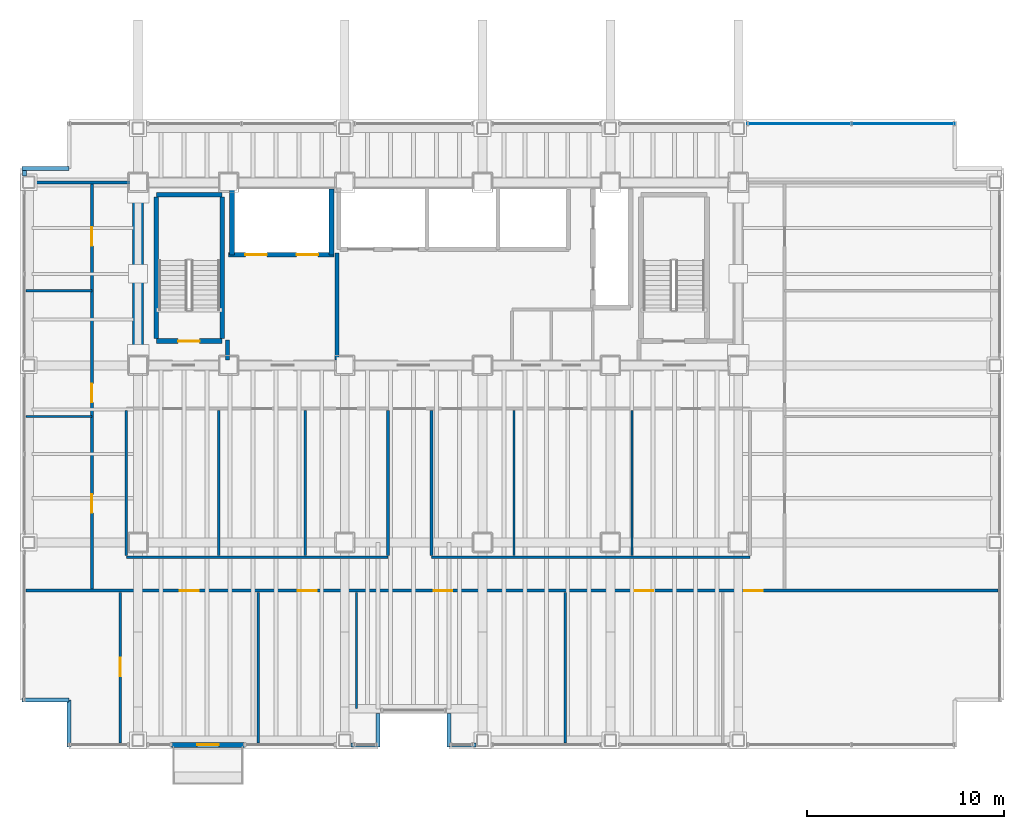
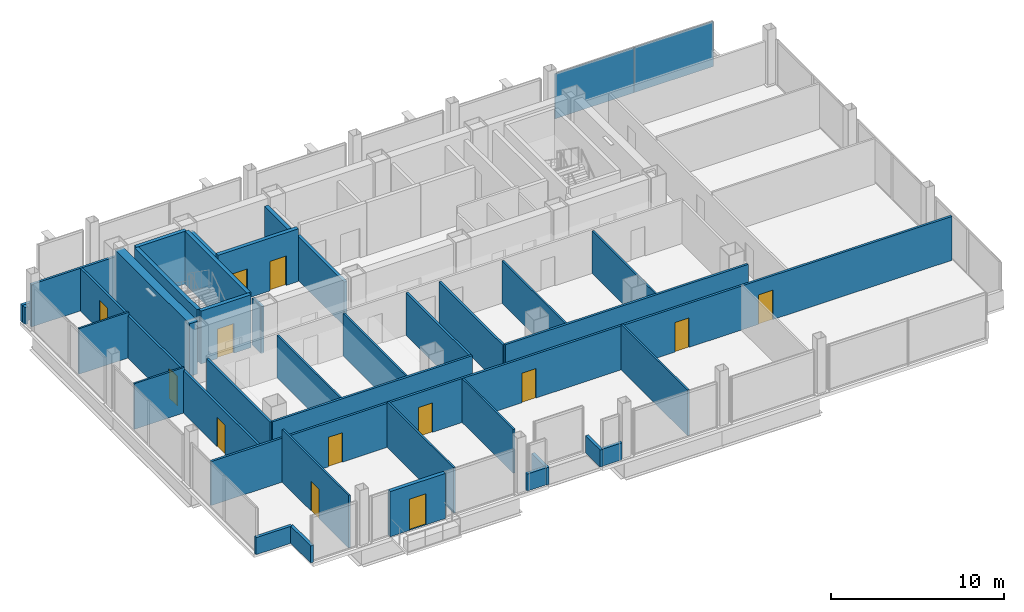
# One storey, part 18 of 21: 37 walls, 13 doors, 2 plates, 13 openings, 1 element without a shape of its own.
"""IFC4 building model written with IfcOpenShell, lengths in metres."""

from ifc_helpers import new_model, si_unit, direction, frame, frame_2d, origin, origin_2d, place, context, subcontext, project, spatial, rectangle, extrude, material, layer, layer_set, type_object, element, fill, aggregate, save


model = new_model("IFC4")

# Units and contexts
model_context = context("Model", 3, precision=1e-05, world=origin(), true_north=direction((0.0, 1.0)))
body_context = subcontext(model_context, "Body", "Model", "MODEL_VIEW")
ifc_project = project(units=[si_unit("LENGTHUNIT", "METRE"), si_unit("AREAUNIT", "SQUARE_METRE"), si_unit("VOLUMEUNIT", "CUBIC_METRE"), si_unit("PLANEANGLEUNIT", "RADIAN"), si_unit("MASSUNIT", "GRAM", prefix="KILO")], contexts=[model_context])

# Site, building, storey
site_placement = place(None, origin())
site = spatial("IfcSite", under=ifc_project, at=site_placement, CompositionType="ELEMENT")
building_placement = place(site_placement, origin())
building = spatial("IfcBuilding", under=site, at=building_placement, Name="Noeulbin Bourse Tower", CompositionType="ELEMENT")
storey_placement = place(building_placement, frame((0.0, 0.0, 81.10009765625)))
storey = spatial("IfcBuildingStorey", under=building, at=storey_placement, Name="L20", CompositionType="ELEMENT", Elevation=81.10009765625)

# Curtain wall, plates
ifc_material_1 = material(Name="Dark Solar-Control Double Glazing", Category="glass")
curtain_wall_type = type_object("IfcCurtainWallType", Name="CW-SYS-2", PredefinedType="NOTDEFINED", material=ifc_material_1)
curtain_wall_placement = place(storey_placement, origin())
curtain_wall = element("IfcCurtainWall", 1, at=curtain_wall_placement, inside=storey, type_object=curtain_wall_type, Name="Unitised Curtain Wall CW-L20-N-S6", PredefinedType="NOTDEFINED")
ifc_layer_1 = layer(ifc_material_1, 0.035888671875)
ifc_layer_set_1 = layer_set([ifc_layer_1], Name="Dark Solar-Control Double Glazing")
plate_type = type_object("IfcPlateType", Name="CW-SYS-2-PNL", PredefinedType="CURTAIN_PANEL", material=ifc_layer_set_1)
plate_1_placement = place(storey_placement, frame((47.10009765625, 41.280029296875, 0.0), z_axis=(0.0, 0.0, 1.0), x_axis=(1.0, 0.0, 0.0)))
plate_1 = element("IfcPlate", 2, at=plate_1_placement, type_object=plate_type, Name="Glazed Curtain Panel CW-L20-N-S6-P00", PredefinedType="CURTAIN_PANEL", context=body_context, shape_type="SweptSolid", body=[
    extrude(rectangle(XDim=5.280029296875, YDim=0.035888671875, at=origin_2d()), origin(), (0.0, 0.0, 1.0), 3.179931640625),
])
plate_2_placement = place(storey_placement, frame((52.3798828125, 41.280029296875, 0.0), z_axis=(0.0, 0.0, 1.0), x_axis=(1.0, 0.0, 0.0)))
plate_2 = element("IfcPlate", 3, at=plate_2_placement, type_object=plate_type, Name="Glazed Curtain Panel CW-L20-N-S6-P01", PredefinedType="CURTAIN_PANEL", context=body_context, shape_type="SweptSolid", body=[
    extrude(rectangle(XDim=5.280029296875, YDim=0.035888671875, at=origin_2d()), origin(), (0.0, 0.0, 1.0), 3.179931640625),
])
aggregate(curtain_wall, [plate_1, plate_2])

# Wall
ifc_material_2 = material(Name="Concrete C60/75", Category="concrete")
ifc_layer_2 = layer(ifc_material_2, 0.550048828125)
ifc_layer_set_2 = layer_set([ifc_layer_2], Name="Concrete C60/75")
wall_type_1 = type_object("IfcWallType", Name="WAL-CORE-550", PredefinedType="SHEAR", material=ifc_layer_set_2)
wall_1_placement = place(storey_placement, frame((13.5, 29.35009765625, 0.0), z_axis=(0.0, 0.0, 1.0), x_axis=(0.0, 1.0, 0.0)))
element("IfcWall", 4, at=wall_1_placement, inside=storey, type_object=wall_type_1, Name="Rear Core West Shear Wall L20", PredefinedType="SHEAR", context=body_context, shape_type="SweptSolid", body=[
    extrude(rectangle(XDim=8.599853515625, YDim=0.550048828125, at=frame_2d((4.2998046875, 0.0))), origin(), (0.0, 0.0, 1.0), 3.719970703125),
])

# Wall, opening, door
ifc_material_3 = material(Name="Precast Concrete C40/50", Category="concrete")
ifc_layer_3 = layer(ifc_material_3, 0.25)
ifc_layer_set_3 = layer_set([ifc_layer_3], Name="Precast Concrete C40/50")
wall_type_2 = type_object("IfcWallType", Name="WAL-EXT-250", PredefinedType="STANDARD", material=ifc_layer_set_3)
wall_2_placement = place(storey_placement, frame((15.199951171875, 9.719970703125, 0.0), z_axis=(0.0, 0.0, 1.0), x_axis=(1.0, 0.0, 0.0)))
wall_2 = element("IfcWall", 5, at=wall_2_placement, inside=storey, type_object=wall_type_2, Name="Balcony Threshold Wall L20", PredefinedType="STANDARD", context=body_context, shape_type="SweptSolid", body=[
    extrude(rectangle(XDim=3.699951171875, YDim=0.25, at=frame_2d((1.85009765625, 0.0))), origin(), (0.0, 0.0, 1.0), 3.179931640625),
])
opening_1_placement = place(wall_2_placement, frame((1.300048828125, 0.0, 0.0)))
opening_1 = element("IfcOpeningElement", 6, at=opening_1_placement, cuts=wall_2, Name="Opening BD-11", PredefinedType="OPENING", context=body_context, shape_type="SweptSolid", body=[
    extrude(rectangle(XDim=1.10009765625, YDim=2.199951171875, at=frame_2d((0.550048828125, 1.10009765625))), frame((0.0, 0.135009765625, 0.0), z_axis=(0.0, -1.0, 0.0), x_axis=(1.0, 0.0, 0.0)), (0.0, 0.0, 1.0), 0.27001953125),
])
ifc_material_4 = material(Name="Thermally Broken Aluminium Framed Glass", Category="aluminium")
door_type_1 = type_object("IfcDoorType", Name="DR-BAL-1100", OperationType="SINGLE_SWING_LEFT", PredefinedType="DOOR", material=ifc_material_4)
door_1_placement = place(opening_1_placement, origin())
door_1 = element("IfcDoor", 7, at=door_1_placement, inside=storey, type_object=door_type_1, Name="Tree-Balcony Access Door BD-L20", OperationType="SINGLE_SWING_RIGHT", OverallHeight=2.199951171875, OverallWidth=1.10009765625, PredefinedType="DOOR", context=body_context, shape_type="SweptSolid", body=[
    extrude(rectangle(XDim=1.10009765625, YDim=2.199951171875, at=frame_2d((0.550048828125, 1.10009765625))), frame((0.0, 0.02490234375, 0.0), z_axis=(0.0, -1.0, 0.0), x_axis=(1.0, 0.0, 0.0)), (0.0, 0.0, 1.0), 0.050048828125),
])
fill(opening_1, door_1)

# Walls
ifc_material_5 = material(Name="Concrete C40/50", Category="concrete")
ifc_layer_4 = layer(ifc_material_5, 0.199951171875)
ifc_layer_set_4 = layer_set([ifc_layer_4], Name="Concrete C40/50")
wall_type_3 = type_object("IfcWallType", Name="WAL-FIRE-200", PredefinedType="STANDARD", material=ifc_layer_set_4)
wall_3_placement = place(storey_placement, frame((18.050048828125, 29.284912109375, 0.0), z_axis=(0.0, 0.0, 1.0), x_axis=(0.0, 1.0, 0.0)))
element("IfcWall", 8, at=wall_3_placement, inside=storey, type_object=wall_type_3, Name="Interior Partition Wall L20-13", PredefinedType="STANDARD", context=body_context, shape_type="SweptSolid", body=[
    extrude(rectangle(XDim=1.01513671875, YDim=0.199951171875, at=frame_2d((0.507568359375, 0.0))), origin(), (0.0, 0.0, 1.0), 3.2998046875),
])
wall_4_placement = place(storey_placement, frame((23.60009765625, 29.284912109375, 0.0), z_axis=(0.0, 0.0, 1.0), x_axis=(0.0, 1.0, 0.0)))
element("IfcWall", 9, at=wall_4_placement, inside=storey, type_object=wall_type_3, Name="Interior Partition Wall L20-15", PredefinedType="STANDARD", context=body_context, shape_type="SweptSolid", body=[
    extrude(rectangle(XDim=5.4150390625, YDim=0.199951171875, at=frame_2d((2.70751953125, 0.0))), origin(), (0.0, 0.0, 1.0), 3.099853515625),
])
ifc_layer_5 = layer(ifc_material_5, 0.199951171875)
ifc_layer_set_5 = layer_set([ifc_layer_5], Name="Concrete C40/50")
wall_type_4 = type_object("IfcWallType", Name="WAL-PAR-200", PredefinedType="PARAPET", material=ifc_layer_set_5)
wall_5_placement = place(storey_placement, frame((7.719970703125, 38.6201171875, 0.0), z_axis=(0.0, 0.0, 1.0), x_axis=(0.0, 1.0, 0.0)))
element("IfcWall", 10, at=wall_5_placement, inside=storey, type_object=wall_type_4, Name="Perimeter Pier Spandrel Parapet L20-W1", PredefinedType="PARAPET", context=body_context, shape_type="SweptSolid", body=[
    extrude(rectangle(XDim=0.27978515625, YDim=0.199951171875, at=frame_2d((0.139892578125, 0.0))), origin(), (0.0, 0.0, 1.0), 1.199951171875),
])
for number, where, z_axis, x_axis, name in (
    (11, (24.320068359375, 9.719970703125, 0.0), (0.0, 0.0, 1.0), (1.0, 0.0, 0.0), "Perimeter Pier Spandrel Parapet L20-S3"),
    (12, (29.35009765625, 9.719970703125, 0.0), (0.0, 0.0, 1.0), (1.0, 0.0, 0.0), "Perimeter Pier Spandrel Parapet L20-S4"),
):
    element("IfcWall", number, at=place(storey_placement, frame(where, z_axis=z_axis, x_axis=x_axis)), inside=storey, type_object=wall_type_4, Name=name, PredefinedType="PARAPET", context=body_context, shape_type="SweptSolid", body=[
        extrude(rectangle(XDim=1.329833984375, YDim=0.199951171875, at=frame_2d((0.6650390625, 0.0))), origin(), (0.0, 0.0, 1.0), 1.199951171875),
    ])
for number, where, z_axis, x_axis, name in (
    (13, (7.60009765625, 12.0, 0.0), (0.0, 0.0, 1.0), (1.0, 0.0, 0.0), "Corner Notch Parapet L20-SW1"),
    (14, (10.0, 12.0, 0.0), (0.0, 0.0, 1.0), (0.0, -1.0, 0.0), "Corner Notch Parapet L20-SW2"),
    (15, (7.60009765625, 39.0, 0.0), (0.0, 0.0, 1.0), (1.0, 0.0, 0.0), "Corner Notch Parapet L20-NW1"),
):
    element("IfcWall", number, at=place(storey_placement, frame(where, z_axis=z_axis, x_axis=x_axis)), inside=storey, type_object=wall_type_4, Name=name, PredefinedType="PARAPET", context=body_context, shape_type="SweptSolid", body=[
        extrude(rectangle(XDim=2.39990234375, YDim=0.199951171875, at=frame_2d((1.199951171875, 0.0))), origin(), (0.0, 0.0, 1.0), 1.199951171875),
    ])
for number, where, z_axis, x_axis, name in (
    (16, (25.699951171875, 9.60009765625, 0.0), (0.0, 0.0, 1.0), (0.0, 1.0, 0.0), "Sky-Garden Recess Parapet L20-W"),
    (17, (29.300048828125, 11.300048828125, 0.0), (0.0, 0.0, 1.0), (0.0, -1.0, 0.0), "Sky-Garden Recess Parapet L20-E"),
):
    element("IfcWall", number, at=place(storey_placement, frame(where, z_axis=z_axis, x_axis=x_axis)), inside=storey, type_object=wall_type_4, Name=name, PredefinedType="PARAPET", context=body_context, shape_type="SweptSolid", body=[
        extrude(rectangle(XDim=1.699951171875, YDim=0.199951171875, at=frame_2d((0.85009765625, 0.0))), origin(), (0.0, 0.0, 1.0), 1.199951171875),
    ])
ifc_material_6 = material(Name="Steel Stud Gypsum Partition", Category="steel")
ifc_layer_6 = layer(ifc_material_6, 0.1201171875)
ifc_layer_set_6 = layer_set([ifc_layer_6], Name="Steel Stud Gypsum Partition")
wall_type_5 = type_object("IfcWallType", Name="WAL-PRT-120", PredefinedType="PARTITIONING", material=ifc_layer_set_6)
for number, where, z_axis, x_axis, name in (
    (18, (7.81005859375, 26.39990234375, 0.0), (0.0, 0.0, 1.0), (1.0, 0.0, 0.0), "Interior Partition Wall L20-09"),
    (19, (7.81005859375, 32.800048828125, 0.0), (0.0, 0.0, 1.0), (1.0, 0.0, 0.0), "Interior Partition Wall L20-10"),
):
    element("IfcWall", number, at=place(storey_placement, frame(where, z_axis=z_axis, x_axis=x_axis)), inside=storey, type_object=wall_type_5, Name=name, PredefinedType="PARTITIONING", context=body_context, shape_type="SweptSolid", body=[
        extrude(rectangle(XDim=3.33984375, YDim=0.1201171875, at=frame_2d((1.669921875, 0.0))), origin(), (0.0, 0.0, 1.0), 3.2119140625),
    ])

# Wall, opening, door
wall_6_placement = place(storey_placement, frame((12.60009765625, 9.81005859375, 0.0), z_axis=(0.0, 0.0, 1.0), x_axis=(0.0, 1.0, 0.0)))
wall_6 = element("IfcWall", 20, at=wall_6_placement, inside=storey, type_object=wall_type_5, Name="Interior Partition Wall L20-25", PredefinedType="PARTITIONING", context=body_context, shape_type="SweptSolid", body=[
    extrude(rectangle(XDim=7.655029296875, YDim=0.1201171875, at=frame_2d((3.82763671875, 0.0))), origin(), (0.0, 0.0, 1.0), 3.719970703125),
])
opening_2_placement = place(wall_6_placement, frame((3.39501953125, 0.0, 0.0)))
opening_2 = element("IfcOpeningElement", 21, at=opening_2_placement, cuts=wall_6, Name="Opening ID-09", PredefinedType="OPENING", context=body_context, shape_type="SweptSolid", body=[
    extrude(rectangle(XDim=0.949951171875, YDim=2.080078125, at=frame_2d((0.47509765625, 1.0400390625))), frame((0.0, 0.070068359375, 0.0), z_axis=(0.0, -1.0, 0.0), x_axis=(1.0, 0.0, 0.0)), (0.0, 0.0, 1.0), 0.14013671875),
])
ifc_material_7 = material(Name="Acoustic Solid-Core Timber", Category="wood")
door_type_2 = type_object("IfcDoorType", Name="DR-SINGLE-950", OperationType="SINGLE_SWING_LEFT", PredefinedType="DOOR", material=ifc_material_7)
door_2_placement = place(opening_2_placement, origin())
door_2 = element("IfcDoor", 22, at=door_2_placement, inside=storey, type_object=door_type_2, Name="Interior Door L20-08", OperationType="SINGLE_SWING_RIGHT", OverallHeight=2.080078125, OverallWidth=0.949951171875, PredefinedType="DOOR", context=body_context, shape_type="SweptSolid", body=[
    extrude(rectangle(XDim=0.949951171875, YDim=2.080078125, at=frame_2d((0.47509765625, 1.0400390625))), frame((0.0, 0.02490234375, 0.0), z_axis=(0.0, -1.0, 0.0), x_axis=(1.0, 0.0, 0.0)), (0.0, 0.0, 1.0), 0.050048828125),
])
fill(opening_2, door_2)

# Walls
wall_7_placement = place(storey_placement, frame((19.60009765625, 9.81005859375, 0.0), z_axis=(0.0, 0.0, 1.0), x_axis=(0.0, 1.0, 0.0)))
element("IfcWall", 23, at=wall_7_placement, inside=storey, type_object=wall_type_5, Name="Interior Partition Wall L20-26", PredefinedType="PARTITIONING", context=body_context, shape_type="SweptSolid", body=[
    extrude(rectangle(XDim=7.655029296875, YDim=0.1201171875, at=frame_2d((3.82763671875, 0.0))), origin(), (0.0, 0.0, 1.0), 3.2119140625),
])
wall_8_placement = place(storey_placement, frame((24.60009765625, 11.570068359375, 0.0), z_axis=(0.0, 0.0, 1.0), x_axis=(0.0, 1.0, 0.0)))
element("IfcWall", 24, at=wall_8_placement, inside=storey, type_object=wall_type_5, Name="Interior Partition Wall L20-27", PredefinedType="PARTITIONING", context=body_context, shape_type="SweptSolid", body=[
    extrude(rectangle(XDim=5.89501953125, YDim=0.1201171875, at=frame_2d((2.947509765625, 0.0))), origin(), (0.0, 0.0, 1.0), 3.099853515625),
])
wall_9_placement = place(storey_placement, frame((35.199951171875, 9.81005859375, 0.0), z_axis=(0.0, 0.0, 1.0), x_axis=(0.0, 1.0, 0.0)))
element("IfcWall", 25, at=wall_9_placement, inside=storey, type_object=wall_type_5, Name="Interior Partition Wall L20-28", PredefinedType="PARTITIONING", context=body_context, shape_type="SweptSolid", body=[
    extrude(rectangle(XDim=7.655029296875, YDim=0.1201171875, at=frame_2d((3.82763671875, 0.0))), origin(), (0.0, 0.0, 1.0), 3.2119140625),
])
for number, where, z_axis, x_axis, name in (
    (26, (17.60009765625, 19.3349609375, 0.0), (0.0, 0.0, 1.0), (0.0, 1.0, 0.0), "Interior Partition Wall L20-30"),
    (27, (22.0, 19.3349609375, 0.0), (0.0, 0.0, 1.0), (0.0, 1.0, 0.0), "Interior Partition Wall L20-31"),
    (28, (32.60009765625, 19.3349609375, 0.0), (0.0, 0.0, 1.0), (0.0, 1.0, 0.0), "Interior Partition Wall L20-32"),
    (29, (38.60009765625, 19.3349609375, 0.0), (0.0, 0.0, 1.0), (0.0, 1.0, 0.0), "Interior Partition Wall L20-33"),
):
    element("IfcWall", number, at=place(storey_placement, frame(where, z_axis=z_axis, x_axis=x_axis)), inside=storey, type_object=wall_type_5, Name=name, PredefinedType="PARTITIONING", context=body_context, shape_type="SweptSolid", body=[
        extrude(rectangle(XDim=7.380126953125, YDim=0.1201171875, at=frame_2d((3.68994140625, 0.0))), origin(), (0.0, 0.0, 1.0), 3.0),
    ])

# Wall, openings, doors
ifc_material_8 = material(Name="Steel Stud Acoustic Gypsum Board", Category="steel")
ifc_layer_7 = layer(ifc_material_8, 0.14990234375)
ifc_layer_set_7 = layer_set([ifc_layer_7], Name="Steel Stud Acoustic Gypsum Board")
wall_type_6 = type_object("IfcWallType", Name="WAL-PRT-150", PredefinedType="PARTITIONING", material=ifc_layer_set_7)
wall_10_placement = place(storey_placement, frame((7.81005859375, 17.550048828125, 0.0), z_axis=(0.0, 0.0, 1.0), x_axis=(1.0, 0.0, 0.0)))
wall_10 = element("IfcWall", 30, at=wall_10_placement, inside=storey, type_object=wall_type_6, Name="Interior Partition Wall L20-04", PredefinedType="PARTITIONING", context=body_context, shape_type="SweptSolid", body=[
    extrude(rectangle(XDim=49.3798828125, YDim=0.14990234375, at=frame_2d((24.68994140625, 0.0))), origin(), (0.0, 0.0, 1.0), 3.099853515625),
])
opening_3_placement = place(wall_10_placement, frame((7.81494140625, 0.0, 0.0)))
opening_3 = element("IfcOpeningElement", 31, at=opening_3_placement, cuts=wall_10, Name="Opening ID-09", PredefinedType="OPENING", context=body_context, shape_type="SweptSolid", body=[
    extrude(rectangle(XDim=0.949951171875, YDim=2.080078125, at=frame_2d((0.47509765625, 1.0400390625))), frame((0.0, 0.0849609375, 0.0), z_axis=(0.0, -1.0, 0.0), x_axis=(1.0, 0.0, 0.0)), (0.0, 0.0, 1.0), 0.169921875),
])
opening_4_placement = place(wall_10_placement, frame((13.81494140625, 0.0, 0.0)))
opening_4 = element("IfcOpeningElement", 32, at=opening_4_placement, cuts=wall_10, Name="Opening ID-09", PredefinedType="OPENING", context=body_context, shape_type="SweptSolid", body=[
    extrude(rectangle(XDim=0.949951171875, YDim=2.080078125, at=frame_2d((0.47509765625, 1.0400390625))), frame((0.0, 0.0849609375, 0.0), z_axis=(0.0, -1.0, 0.0), x_axis=(1.0, 0.0, 0.0)), (0.0, 0.0, 1.0), 0.169921875),
])
opening_5_placement = place(wall_10_placement, frame((20.715087890625, 0.0, 0.0)))
opening_5 = element("IfcOpeningElement", 33, at=opening_5_placement, cuts=wall_10, Name="Opening ID-09", PredefinedType="OPENING", context=body_context, shape_type="SweptSolid", body=[
    extrude(rectangle(XDim=0.949951171875, YDim=2.080078125, at=frame_2d((0.47509765625, 1.0400390625))), frame((0.0, 0.0849609375, 0.0), z_axis=(0.0, -1.0, 0.0), x_axis=(1.0, 0.0, 0.0)), (0.0, 0.0, 1.0), 0.169921875),
])
opening_6_placement = place(wall_10_placement, frame((30.9150390625, 0.0, 0.0)))
opening_6 = element("IfcOpeningElement", 34, at=opening_6_placement, cuts=wall_10, Name="Opening ID-09", PredefinedType="OPENING", context=body_context, shape_type="SweptSolid", body=[
    extrude(rectangle(XDim=0.949951171875, YDim=2.080078125, at=frame_2d((0.47509765625, 1.0400390625))), frame((0.0, 0.0849609375, 0.0), z_axis=(0.0, -1.0, 0.0), x_axis=(1.0, 0.0, 0.0)), (0.0, 0.0, 1.0), 0.169921875),
])
opening_7_placement = place(wall_10_placement, frame((36.489990234375, 0.0, 0.0)))
opening_7 = element("IfcOpeningElement", 35, at=opening_7_placement, cuts=wall_10, Name="Opening ID-09", PredefinedType="OPENING", context=body_context, shape_type="SweptSolid", body=[
    extrude(rectangle(XDim=0.949951171875, YDim=2.080078125, at=frame_2d((0.47509765625, 1.0400390625))), frame((0.0, 0.0849609375, 0.0), z_axis=(0.0, -1.0, 0.0), x_axis=(1.0, 0.0, 0.0)), (0.0, 0.0, 1.0), 0.169921875),
])
door_3_placement = place(opening_3_placement, origin())
door_3 = element("IfcDoor", 36, at=door_3_placement, inside=storey, type_object=door_type_2, Name="Interior Door L20-09", OperationType="SINGLE_SWING_LEFT", OverallHeight=2.080078125, OverallWidth=0.949951171875, PredefinedType="DOOR", context=body_context, shape_type="SweptSolid", body=[
    extrude(rectangle(XDim=0.949951171875, YDim=2.080078125, at=frame_2d((0.47509765625, 1.0400390625))), frame((0.0, 0.02490234375, 0.0), z_axis=(0.0, -1.0, 0.0), x_axis=(1.0, 0.0, 0.0)), (0.0, 0.0, 1.0), 0.050048828125),
])
fill(opening_3, door_3)
door_4_placement = place(opening_4_placement, origin())
door_4 = element("IfcDoor", 37, at=door_4_placement, inside=storey, type_object=door_type_2, Name="Interior Door L20-10", OperationType="SINGLE_SWING_RIGHT", OverallHeight=2.080078125, OverallWidth=0.949951171875, PredefinedType="DOOR", context=body_context, shape_type="SweptSolid", body=[
    extrude(rectangle(XDim=0.949951171875, YDim=2.080078125, at=frame_2d((0.47509765625, 1.0400390625))), frame((0.0, 0.02490234375, 0.0), z_axis=(0.0, -1.0, 0.0), x_axis=(1.0, 0.0, 0.0)), (0.0, 0.0, 1.0), 0.050048828125),
])
fill(opening_4, door_4)
door_5_placement = place(opening_5_placement, origin())
door_5 = element("IfcDoor", 38, at=door_5_placement, inside=storey, type_object=door_type_2, Name="Interior Door L20-11", OperationType="SINGLE_SWING_LEFT", OverallHeight=2.080078125, OverallWidth=0.949951171875, PredefinedType="DOOR", context=body_context, shape_type="SweptSolid", body=[
    extrude(rectangle(XDim=0.949951171875, YDim=2.080078125, at=frame_2d((0.47509765625, 1.0400390625))), frame((0.0, 0.02490234375, 0.0), z_axis=(0.0, -1.0, 0.0), x_axis=(1.0, 0.0, 0.0)), (0.0, 0.0, 1.0), 0.050048828125),
])
fill(opening_5, door_5)
door_6_placement = place(opening_6_placement, origin())
door_6 = element("IfcDoor", 39, at=door_6_placement, inside=storey, type_object=door_type_2, Name="Interior Door L20-12", OperationType="SINGLE_SWING_RIGHT", OverallHeight=2.080078125, OverallWidth=0.949951171875, PredefinedType="DOOR", context=body_context, shape_type="SweptSolid", body=[
    extrude(rectangle(XDim=0.949951171875, YDim=2.080078125, at=frame_2d((0.47509765625, 1.0400390625))), frame((0.0, 0.02490234375, 0.0), z_axis=(0.0, -1.0, 0.0), x_axis=(1.0, 0.0, 0.0)), (0.0, 0.0, 1.0), 0.050048828125),
])
fill(opening_6, door_6)
door_7_placement = place(opening_7_placement, origin())
door_7 = element("IfcDoor", 40, at=door_7_placement, inside=storey, type_object=door_type_2, Name="Interior Door L20-13", OperationType="SINGLE_SWING_LEFT", OverallHeight=2.080078125, OverallWidth=0.949951171875, PredefinedType="DOOR", context=body_context, shape_type="SweptSolid", body=[
    extrude(rectangle(XDim=0.949951171875, YDim=2.080078125, at=frame_2d((0.47509765625, 1.0400390625))), frame((0.0, 0.02490234375, 0.0), z_axis=(0.0, -1.0, 0.0), x_axis=(1.0, 0.0, 0.0)), (0.0, 0.0, 1.0), 0.050048828125),
])
fill(opening_7, door_7)

# Walls
wall_11_placement = place(storey_placement, frame((12.89990234375, 19.25, 0.0), z_axis=(0.0, 0.0, 1.0), x_axis=(1.0, 0.0, 0.0)))
element("IfcWall", 41, at=wall_11_placement, inside=storey, type_object=wall_type_6, Name="Interior Partition Wall L20-05", PredefinedType="PARTITIONING", context=body_context, shape_type="SweptSolid", body=[
    extrude(rectangle(XDim=13.300048828125, YDim=0.14990234375, at=frame_2d((6.64990234375, 0.0))), origin(), (0.0, 0.0, 1.0), 3.099853515625),
])
wall_12_placement = place(storey_placement, frame((28.39990234375, 19.25, 0.0), z_axis=(0.0, 0.0, 1.0), x_axis=(1.0, 0.0, 0.0)))
element("IfcWall", 42, at=wall_12_placement, inside=storey, type_object=wall_type_6, Name="Interior Partition Wall L20-06", PredefinedType="PARTITIONING", context=body_context, shape_type="SweptSolid", body=[
    extrude(rectangle(XDim=16.2001953125, YDim=0.14990234375, at=frame_2d((8.10009765625, 0.0))), origin(), (0.0, 0.0, 1.0), 3.099853515625),
])
wall_13_placement = place(storey_placement, frame((7.81005859375, 38.300048828125, 0.0), z_axis=(0.0, 0.0, 1.0), x_axis=(1.0, 0.0, 0.0)))
element("IfcWall", 43, at=wall_13_placement, inside=storey, type_object=wall_type_6, Name="Interior Partition Wall L20-07", PredefinedType="PARTITIONING", context=body_context, shape_type="SweptSolid", body=[
    extrude(rectangle(XDim=5.68994140625, YDim=0.14990234375, at=frame_2d((2.844970703125, 0.0))), origin(), (0.0, 0.0, 1.0), 3.0),
])
for number, where, z_axis, x_axis, name in (
    (44, (26.199951171875, 19.3349609375, 0.0), (0.0, 0.0, 1.0), (0.0, 1.0, 0.0), "Interior Partition Wall L20-19"),
    (45, (28.39990234375, 19.3349609375, 0.0), (0.0, 0.0, 1.0), (0.0, 1.0, 0.0), "Interior Partition Wall L20-20"),
):
    element("IfcWall", number, at=place(storey_placement, frame(where, z_axis=z_axis, x_axis=x_axis)), inside=storey, type_object=wall_type_6, Name=name, PredefinedType="PARTITIONING", context=body_context, shape_type="SweptSolid", body=[
        extrude(rectangle(XDim=7.380126953125, YDim=0.14990234375, at=frame_2d((3.68994140625, 0.0))), origin(), (0.0, 0.0, 1.0), 3.0),
    ])

# Wall, openings, doors
wall_14_placement = place(storey_placement, frame((11.14990234375, 17.635009765625, 0.0), z_axis=(0.0, 0.0, 1.0), x_axis=(0.0, 1.0, 0.0)))
wall_14 = element("IfcWall", 46, at=wall_14_placement, inside=storey, type_object=wall_type_6, Name="Interior Partition Wall L20-21", PredefinedType="PARTITIONING", context=body_context, shape_type="SweptSolid", body=[
    extrude(rectangle(XDim=20.580078125, YDim=0.14990234375, at=frame_2d((10.2900390625, 0.0))), origin(), (0.0, 0.0, 1.0), 3.0),
])
opening_8_placement = place(wall_14_placement, frame((3.864990234375, 0.0, 0.0)))
opening_8 = element("IfcOpeningElement", 47, at=opening_8_placement, cuts=wall_14, Name="Opening ID-09", PredefinedType="OPENING", context=body_context, shape_type="SweptSolid", body=[
    extrude(rectangle(XDim=0.949951171875, YDim=2.080078125, at=frame_2d((0.47509765625, 1.0400390625))), frame((0.0, 0.0849609375, 0.0), z_axis=(0.0, -1.0, 0.0), x_axis=(1.0, 0.0, 0.0)), (0.0, 0.0, 1.0), 0.169921875),
])
opening_9_placement = place(wall_14_placement, frame((9.489990234375, 0.0, 0.0)))
opening_9 = element("IfcOpeningElement", 48, at=opening_9_placement, cuts=wall_14, Name="Opening ID-09", PredefinedType="OPENING", context=body_context, shape_type="SweptSolid", body=[
    extrude(rectangle(XDim=0.949951171875, YDim=2.080078125, at=frame_2d((0.47509765625, 1.0400390625))), frame((0.0, 0.0849609375, 0.0), z_axis=(0.0, -1.0, 0.0), x_axis=(1.0, 0.0, 0.0)), (0.0, 0.0, 1.0), 0.169921875),
])
opening_10_placement = place(wall_14_placement, frame((17.43994140625, 0.0, 0.0)))
opening_10 = element("IfcOpeningElement", 49, at=opening_10_placement, cuts=wall_14, Name="Opening ID-09", PredefinedType="OPENING", context=body_context, shape_type="SweptSolid", body=[
    extrude(rectangle(XDim=0.949951171875, YDim=2.080078125, at=frame_2d((0.47509765625, 1.0400390625))), frame((0.0, 0.0849609375, 0.0), z_axis=(0.0, -1.0, 0.0), x_axis=(1.0, 0.0, 0.0)), (0.0, 0.0, 1.0), 0.169921875),
])
door_8_placement = place(opening_8_placement, origin())
door_8 = element("IfcDoor", 50, at=door_8_placement, inside=storey, type_object=door_type_2, Name="Interior Door L20-20", OperationType="SINGLE_SWING_RIGHT", OverallHeight=2.080078125, OverallWidth=0.949951171875, PredefinedType="DOOR", context=body_context, shape_type="SweptSolid", body=[
    extrude(rectangle(XDim=0.949951171875, YDim=2.080078125, at=frame_2d((0.47509765625, 1.0400390625))), frame((0.0, 0.02490234375, 0.0), z_axis=(0.0, -1.0, 0.0), x_axis=(1.0, 0.0, 0.0)), (0.0, 0.0, 1.0), 0.050048828125),
])
fill(opening_8, door_8)
door_9_placement = place(opening_9_placement, origin())
door_9 = element("IfcDoor", 51, at=door_9_placement, inside=storey, type_object=door_type_2, Name="Interior Door L20-21", OperationType="SINGLE_SWING_LEFT", OverallHeight=2.080078125, OverallWidth=0.949951171875, PredefinedType="DOOR", context=body_context, shape_type="SweptSolid", body=[
    extrude(rectangle(XDim=0.949951171875, YDim=2.080078125, at=frame_2d((0.47509765625, 1.0400390625))), frame((0.0, 0.02490234375, 0.0), z_axis=(0.0, -1.0, 0.0), x_axis=(1.0, 0.0, 0.0)), (0.0, 0.0, 1.0), 0.050048828125),
])
fill(opening_9, door_9)
door_10_placement = place(opening_10_placement, origin())
door_10 = element("IfcDoor", 52, at=door_10_placement, inside=storey, type_object=door_type_2, Name="Interior Door L20-22", OperationType="SINGLE_SWING_RIGHT", OverallHeight=2.080078125, OverallWidth=0.949951171875, PredefinedType="DOOR", context=body_context, shape_type="SweptSolid", body=[
    extrude(rectangle(XDim=0.949951171875, YDim=2.080078125, at=frame_2d((0.47509765625, 1.0400390625))), frame((0.0, 0.02490234375, 0.0), z_axis=(0.0, -1.0, 0.0), x_axis=(1.0, 0.0, 0.0)), (0.0, 0.0, 1.0), 0.050048828125),
])
fill(opening_10, door_10)

# Wall
wall_15_placement = place(storey_placement, frame((12.89990234375, 19.3349609375, 0.0), z_axis=(0.0, 0.0, 1.0), x_axis=(0.0, 1.0, 0.0)))
element("IfcWall", 53, at=wall_15_placement, inside=storey, type_object=wall_type_6, Name="Interior Partition Wall L20-22", PredefinedType="PARTITIONING", context=body_context, shape_type="SweptSolid", body=[
    extrude(rectangle(XDim=7.380126953125, YDim=0.14990234375, at=frame_2d((3.68994140625, 0.0))), origin(), (0.0, 0.0, 1.0), 3.0),
])

# Wall, opening, door
ifc_layer_8 = layer(ifc_material_5, 0.25)
ifc_layer_set_8 = layer_set([ifc_layer_8], Name="Concrete C40/50")
wall_type_7 = type_object("IfcWallType", Name="WAL-SHFT-250", PredefinedType="STANDARD", material=ifc_layer_set_8)
wall_16_placement = place(storey_placement, frame((14.429931640625, 30.235107421875, 0.0), z_axis=(0.0, 0.0, 1.0), x_axis=(1.0, 0.0, 0.0)))
wall_16 = element("IfcWall", 54, at=wall_16_placement, inside=storey, type_object=wall_type_7, Name="Stair ST-1 South Shaft Wall L20", PredefinedType="STANDARD", context=body_context, shape_type="SweptSolid", body=[
    extrude(rectangle(XDim=3.340087890625, YDim=0.25, at=frame_2d((1.669921875, 0.0))), origin(), (0.0, 0.0, 1.0), 3.719970703125),
])
opening_11_placement = place(wall_16_placement, frame((1.10009765625, 0.0, 0.0)))
opening_11 = element("IfcOpeningElement", 55, at=opening_11_placement, cuts=wall_16, Name="Opening FD-11", PredefinedType="OPENING", context=body_context, shape_type="SweptSolid", body=[
    extrude(rectangle(XDim=1.10009765625, YDim=2.080078125, at=frame_2d((0.550048828125, 1.0400390625))), frame((0.0, 0.135009765625, 0.0), z_axis=(0.0, -1.0, 0.0), x_axis=(1.0, 0.0, 0.0)), (0.0, 0.0, 1.0), 0.27001953125),
])
ifc_material_9 = material(Name="Fire-Rated Insulated Steel", Category="steel")
door_type_3 = type_object("IfcDoorType", Name="DR-FD60-1100", OperationType="SINGLE_SWING_LEFT", PredefinedType="DOOR", material=ifc_material_9)
door_11_placement = place(opening_11_placement, origin())
door_11 = element("IfcDoor", 56, at=door_11_placement, inside=storey, type_object=door_type_3, Name="Protected Stair Entry Door ST1-L20", OperationType="SINGLE_SWING_LEFT", OverallHeight=2.080078125, OverallWidth=1.10009765625, PredefinedType="DOOR", context=body_context, shape_type="SweptSolid", body=[
    extrude(rectangle(XDim=1.10009765625, YDim=2.080078125, at=frame_2d((0.550048828125, 1.0400390625))), frame((0.0, 0.02490234375, 0.0), z_axis=(0.0, -1.0, 0.0), x_axis=(1.0, 0.0, 0.0)), (0.0, 0.0, 1.0), 0.050048828125),
])
fill(opening_11, door_11)

# Walls
wall_17_placement = place(storey_placement, frame((14.429931640625, 37.6689453125, 0.0), z_axis=(0.0, 0.0, 1.0), x_axis=(1.0, 0.0, 0.0)))
element("IfcWall", 57, at=wall_17_placement, inside=storey, type_object=wall_type_7, Name="Stair ST-1 North Shaft Wall L20", PredefinedType="STANDARD", context=body_context, shape_type="SweptSolid", body=[
    extrude(rectangle(XDim=3.340087890625, YDim=0.25, at=frame_2d((1.669921875, 0.0))), origin(), (0.0, 0.0, 1.0), 3.719970703125),
])
for number, where, z_axis, x_axis, name in (
    (58, (14.425048828125, 30.360107421875, 0.0), (0.0, 0.0, 1.0), (0.0, 1.0, 0.0), "Stair ST-1 West Shaft Wall L20"),
    (59, (17.77490234375, 30.360107421875, 0.0), (0.0, 0.0, 1.0), (0.0, 1.0, 0.0), "Stair ST-1 East Shaft Wall L20"),
):
    element("IfcWall", number, at=place(storey_placement, frame(where, z_axis=z_axis, x_axis=x_axis)), inside=storey, type_object=wall_type_7, Name=name, PredefinedType="STANDARD", context=body_context, shape_type="SweptSolid", body=[
        extrude(rectangle(XDim=7.183837890625, YDim=0.25, at=frame_2d((3.591796875, 0.0))), origin(), (0.0, 0.0, 1.0), 3.719970703125),
    ])

# Wall, openings, doors
wall_18_placement = place(storey_placement, frame((18.10009765625, 34.6201171875, 0.0), z_axis=(0.0, 0.0, 1.0), x_axis=(1.0, 0.0, 0.0)))
wall_18 = element("IfcWall", 60, at=wall_18_placement, inside=storey, type_object=wall_type_7, Name="Firefighting Lift Shaft Front L20", PredefinedType="STANDARD", context=body_context, shape_type="SweptSolid", body=[
    extrude(rectangle(XDim=5.349853515625, YDim=0.25, at=frame_2d((2.6748046875, 0.0))), origin(), (0.0, 0.0, 1.0), 3.719970703125),
])
opening_12_placement = place(wall_18_placement, frame((0.85009765625, 0.0, 0.0)))
opening_12 = element("IfcOpeningElement", 61, at=opening_12_placement, cuts=wall_18, Name="Opening LD-11", PredefinedType="OPENING", context=body_context, shape_type="SweptSolid", body=[
    extrude(rectangle(XDim=1.10009765625, YDim=2.080078125, at=frame_2d((0.550048828125, 1.0400390625))), frame((0.0, 0.135009765625, 0.0), z_axis=(0.0, -1.0, 0.0), x_axis=(1.0, 0.0, 0.0)), (0.0, 0.0, 1.0), 0.27001953125),
])
opening_13_placement = place(wall_18_placement, frame((3.449951171875, 0.0, 0.0)))
opening_13 = element("IfcOpeningElement", 62, at=opening_13_placement, cuts=wall_18, Name="Opening LD-11", PredefinedType="OPENING", context=body_context, shape_type="SweptSolid", body=[
    extrude(rectangle(XDim=1.10009765625, YDim=2.080078125, at=frame_2d((0.550048828125, 1.0400390625))), frame((0.0, 0.135009765625, 0.0), z_axis=(0.0, -1.0, 0.0), x_axis=(1.0, 0.0, 0.0)), (0.0, 0.0, 1.0), 0.27001953125),
])
ifc_material_10 = material(Name="Brushed Stainless Steel 316", Category="steel")
door_type_4 = type_object("IfcDoorType", Name="DR-LIFT-1100", OperationType="SLIDING_TO_LEFT", PredefinedType="DOOR", material=ifc_material_10)
door_12_placement = place(opening_12_placement, origin())
door_12 = element("IfcDoor", 63, at=door_12_placement, inside=storey, type_object=door_type_4, Name="Lift Landing Door LD-FL-01-L20", OperationType="SLIDING_TO_LEFT", OverallHeight=2.080078125, OverallWidth=1.10009765625, PredefinedType="DOOR", context=body_context, shape_type="SweptSolid", body=[
    extrude(rectangle(XDim=1.10009765625, YDim=2.080078125, at=frame_2d((0.550048828125, 1.0400390625))), frame((0.0, 0.02490234375, 0.0), z_axis=(0.0, -1.0, 0.0), x_axis=(1.0, 0.0, 0.0)), (0.0, 0.0, 1.0), 0.050048828125),
])
fill(opening_12, door_12)
door_13_placement = place(opening_13_placement, origin())
door_13 = element("IfcDoor", 64, at=door_13_placement, inside=storey, type_object=door_type_4, Name="Lift Landing Door LD-FL-02-L20", OperationType="SLIDING_TO_LEFT", OverallHeight=2.080078125, OverallWidth=1.10009765625, PredefinedType="DOOR", context=body_context, shape_type="SweptSolid", body=[
    extrude(rectangle(XDim=1.10009765625, YDim=2.080078125, at=frame_2d((0.550048828125, 1.0400390625))), frame((0.0, 0.02490234375, 0.0), z_axis=(0.0, -1.0, 0.0), x_axis=(1.0, 0.0, 0.0)), (0.0, 0.0, 1.0), 0.050048828125),
])
fill(opening_13, door_13)

# Walls
for number, where, z_axis, x_axis, name in (
    (65, (18.280029296875, 34.6201171875, 0.0), (0.0, 0.0, 1.0), (0.0, 1.0, 0.0), "Firefighting Lift West Shaft Wall L20"),
    (66, (23.320068359375, 34.6201171875, 0.0), (0.0, 0.0, 1.0), (0.0, 1.0, 0.0), "Firefighting Lift East Shaft Wall L20"),
):
    element("IfcWall", number, at=place(storey_placement, frame(where, z_axis=z_axis, x_axis=x_axis)), inside=storey, type_object=wall_type_7, Name=name, PredefinedType="STANDARD", context=body_context, shape_type="SweptSolid", body=[
        extrude(rectangle(XDim=3.329833984375, YDim=0.25, at=frame_2d((1.6650390625, 0.0))), origin(), (0.0, 0.0, 1.0), 3.2998046875),
    ])

save(model, "model.ifc")
